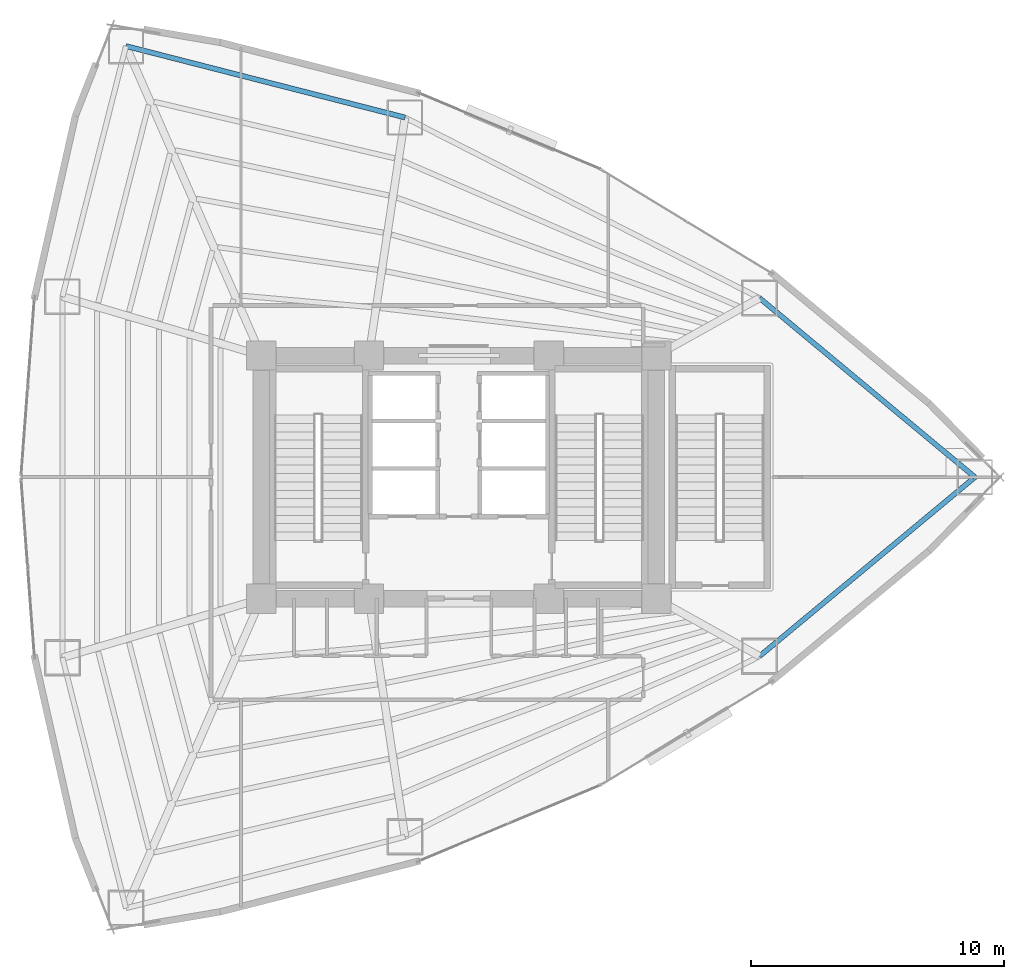
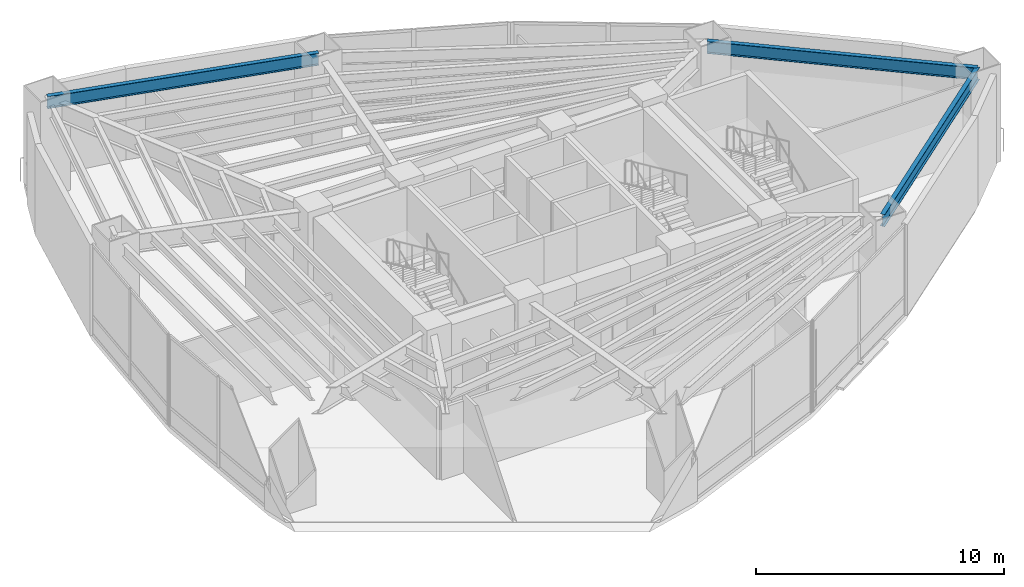
# One storey, part 11 of 18: 3 beams.
"""IFC4 building model written with IfcOpenShell, lengths in metres."""

from ifc_helpers import new_model, si_unit, direction, frame, origin, origin_2d, place, context, subcontext, project, spatial, i_section, extrude, material, material_profile, profile_set, type_object, element, save


model = new_model("IFC4")

# Units and contexts
model_context = context("Model", 3, precision=1e-05, world=origin(), true_north=direction((0.0, 1.0)))
body_context = subcontext(model_context, "Body", "Model", "MODEL_VIEW")
ifc_project = project(units=[si_unit("LENGTHUNIT", "METRE"), si_unit("AREAUNIT", "SQUARE_METRE"), si_unit("VOLUMEUNIT", "CUBIC_METRE"), si_unit("PLANEANGLEUNIT", "RADIAN"), si_unit("MASSUNIT", "GRAM", prefix="KILO")], contexts=[model_context])

# Site, building, storey
site_placement = place(None, origin())
site = spatial("IfcSite", under=ifc_project, at=site_placement, CompositionType="ELEMENT")
building_placement = place(site_placement, origin())
building = spatial("IfcBuilding", under=site, at=building_placement, Name="Menara Vayukalpa", CompositionType="ELEMENT")
storey_placement = place(building_placement, frame((0.0, 0.0, 7.199951171875)))
storey = spatial("IfcBuildingStorey", under=building, at=storey_placement, Name="L01", CompositionType="ELEMENT", Elevation=7.199951171875)

# Beams
ifc_material = material(Name="Steel S355", Category="steel")
ifc_material_profile = material_profile(ifc_material, i_section(OverallWidth=0.199951171875, OverallDepth=0.60009765625, WebThickness=0.010986328125, FlangeThickness=0.01708984375, at=origin_2d()), Name="WF 600x200x11x17")
ifc_profile_set = profile_set([ifc_material_profile], Name="Steel S355")
beam_type = type_object("IfcBeamType", Name="BM-SP1", PredefinedType="SPANDREL", material=ifc_profile_set)
beam_1_placement = place(storey_placement, frame((45.979248046875, 22.0, 4.179931640625), z_axis=(-0.768967992195, 0.639287280477, 0.0), x_axis=(-0.639287280477, -0.768967992195, 0.0)))
element("IfcBeam", 1, at=beam_1_placement, inside=storey, type_object=beam_type, Name="L01 Perimeter Spandrel Beam SP01", PredefinedType="SPANDREL", context=body_context, shape_type="SweptSolid", body=[
    extrude(i_section(OverallWidth=0.199951171875, OverallDepth=0.60009765625, WebThickness=0.010986328125, FlangeThickness=0.01708984375, at=origin_2d()), origin(), (0.0, 0.0, 1.0), 11.060546875),
])
beam_2_placement = place(storey_placement, frame((23.4755859375, 36.19970703125, 4.179931640625), z_axis=(-0.968770804637, 0.247957915953, 0.0), x_axis=(-0.247957915953, -0.968770804637, 0.0)))
element("IfcBeam", 2, at=beam_2_placement, inside=storey, type_object=beam_type, Name="L01 Perimeter Spandrel Beam SP03", PredefinedType="SPANDREL", context=body_context, shape_type="SweptSolid", body=[
    extrude(i_section(OverallWidth=0.199951171875, OverallDepth=0.60009765625, WebThickness=0.010986328125, FlangeThickness=0.01708984375, at=origin_2d()), origin(), (0.0, 0.0, 1.0), 11.3701171875),
])
beam_3_placement = place(storey_placement, frame((37.47412109375, 14.92919921875, 4.179931640625), z_axis=(0.768967992195, 0.639287280477, 0.0), x_axis=(-0.639287280477, 0.768967992195, 0.0)))
element("IfcBeam", 3, at=beam_3_placement, inside=storey, type_object=beam_type, Name="L01 Perimeter Spandrel Beam SP09", PredefinedType="SPANDREL", context=body_context, shape_type="SweptSolid", body=[
    extrude(i_section(OverallWidth=0.199951171875, OverallDepth=0.60009765625, WebThickness=0.010986328125, FlangeThickness=0.01708984375, at=origin_2d()), origin(), (0.0, 0.0, 1.0), 11.060546875),
])

save(model, "model.ifc")
